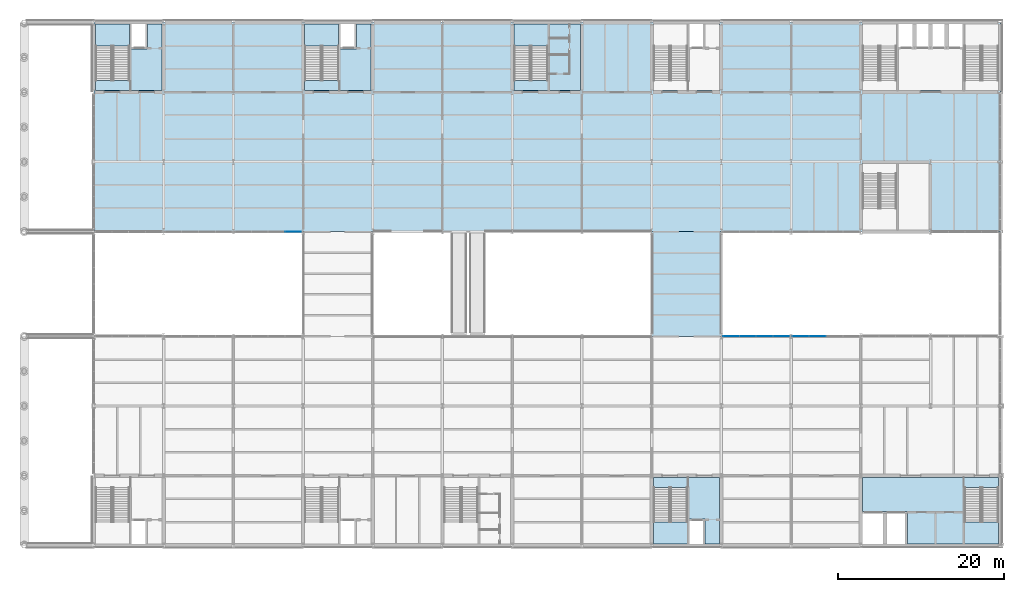
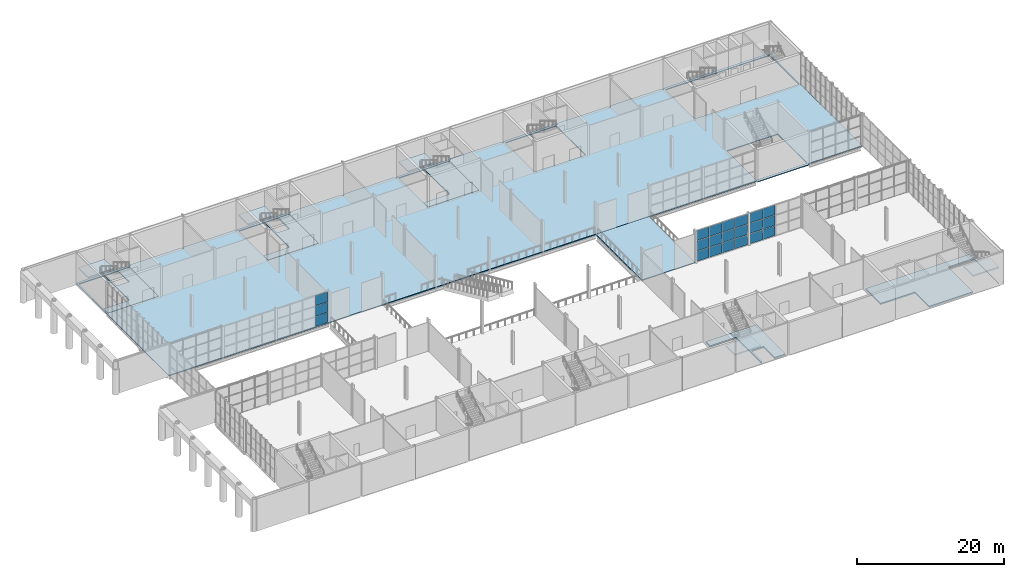
# One storey, part 35 of 64: 21 plates, 12 slabs, 8 elements without a shape of their own.
"""IFC4 building model written with IfcOpenShell, lengths in metres."""

from ifc_helpers import new_model, si_unit, direction, frame, origin, origin_2d, place, context, subcontext, project, spatial, polyline, rectangle, outline, extrude, material, layer, layer_set, type_object, element, aggregate, save


model = new_model("IFC4")

# Units and contexts
model_context = context("Model", 3, precision=1e-05, world=origin(), true_north=direction((0.0, 1.0)))
body_context = subcontext(model_context, "Body", "Model", "MODEL_VIEW")
ifc_project = project(units=[si_unit("LENGTHUNIT", "METRE"), si_unit("AREAUNIT", "SQUARE_METRE"), si_unit("VOLUMEUNIT", "CUBIC_METRE"), si_unit("PLANEANGLEUNIT", "RADIAN"), si_unit("MASSUNIT", "GRAM", prefix="KILO")], contexts=[model_context])

# Site, building, storey
site_placement = place(None, origin())
site = spatial("IfcSite", under=ifc_project, at=site_placement, CompositionType="ELEMENT")
building_placement = place(site_placement, origin())
building = spatial("IfcBuilding", under=site, at=building_placement, Name="Galleria Vessillo Department Store", CompositionType="ELEMENT")
storey_placement = place(building_placement, frame((0.0, 0.0, 6.0)))
storey = spatial("IfcBuildingStorey", under=building, at=storey_placement, Name="L01", CompositionType="ELEMENT", Elevation=6.0)

# Slabs
ifc_material_1 = material(Name="Concrete C32/40 composite on steel deck", Category="concrete")
ifc_layer_1 = layer(ifc_material_1, 0.14990234375)
ifc_layer_set_1 = layer_set([ifc_layer_1], Name="Concrete C32/40 composite on steel deck")
slab_type_1 = type_object("IfcSlabType", Name="Composite bridge slab 150 mm", PredefinedType="FLOOR", material=ifc_layer_set_1)
slab_1_placement = place(storey_placement, frame((0.0, 0.0, -0.14990234375)))
element("IfcSlab", 1, at=slab_1_placement, inside=storey, type_object=slab_type_1, Name="S-SLAB-L01-BRIDGE-E", PredefinedType="FLOOR", context=body_context, shape_type="SweptSolid", body=[
    extrude(outline(polyline([(84.0, 25.199951171875), (84.0, 37.800048828125), (75.60009765625, 37.800048828125), (75.60009765625, 25.199951171875), (84.0, 25.199951171875)])), origin(), (0.0, 0.0, 1.0), 0.14990234375),
])
ifc_material_2 = material(Name="Concrete C32/40 composite on steel deck", Category="concrete")
ifc_layer_2 = layer(ifc_material_2, 0.14990234375)
ifc_layer_set_2 = layer_set([ifc_layer_2], Name="Concrete C32/40 composite on steel deck")
slab_type_2 = type_object("IfcSlabType", Name="Composite floor slab 150 mm", PredefinedType="FLOOR", material=ifc_layer_set_2)
slab_2_placement = place(storey_placement, frame((0.0, 0.0, -0.14990234375)))
element("IfcSlab", 2, at=slab_2_placement, inside=storey, type_object=slab_type_2, Name="S-SLAB-L01-FLOOR-N", PredefinedType="FLOOR", context=body_context, shape_type="SweptSolid", body=[
    extrude(outline(polyline([(8.550537109375, 63.199462890625), (16.6494140625, 63.199462890625), (16.6494140625, 63.0), (16.95068359375, 63.0), (16.95068359375, 63.24951171875), (25.04931640625, 63.24951171875), (25.04931640625, 63.0), (25.3505859375, 63.0), (25.3505859375, 63.24951171875), (33.449462890625, 63.24951171875), (33.449462890625, 63.0), (33.750732421875, 63.0), (33.750732421875, 63.199462890625), (41.849365234375, 63.199462890625), (41.849365234375, 63.0), (42.150634765625, 63.0), (42.150634765625, 63.24951171875), (50.249267578125, 63.24951171875), (50.249267578125, 63.0), (50.550537109375, 63.0), (50.550537109375, 63.24951171875), (58.6494140625, 63.24951171875), (58.6494140625, 63.0), (58.95068359375, 63.0), (58.95068359375, 63.199462890625), (67.04931640625, 63.199462890625), (67.04931640625, 63.0), (67.3505859375, 63.0), (67.3505859375, 63.24951171875), (75.449462890625, 63.24951171875), (75.449462890625, 63.0), (75.750732421875, 63.0), (75.750732421875, 63.199462890625), (83.846435546875, 63.199462890625), (83.846435546875, 63.0), (84.153564453125, 63.0), (84.153564453125, 63.24951171875), (92.246337890625, 63.24951171875), (92.246337890625, 63.0), (92.553466796875, 63.0), (92.553466796875, 63.24951171875), (100.646484375, 63.24951171875), (100.646484375, 63.0), (100.95361328125, 63.0), (100.95361328125, 63.199462890625), (117.3134765625, 63.199462890625), (117.3134765625, 63.0), (117.60009765625, 63.0), (117.60009765625, 37.800048828125), (109.04638671875, 37.800048828125), (109.04638671875, 37.60009765625), (100.95361328125, 37.60009765625), (100.95361328125, 37.800048828125), (8.39990234375, 37.800048828125), (8.39990234375, 63.0), (8.550537109375, 63.0), (8.550537109375, 63.199462890625)]), holes=[polyline([(16.60009765625, 62.800048828125), (8.599853515625, 62.800048828125), (8.599853515625, 54.800048828125), (16.60009765625, 54.800048828125), (16.60009765625, 62.800048828125)]), polyline([(41.800048828125, 62.800048828125), (33.800048828125, 62.800048828125), (33.800048828125, 54.800048828125), (41.800048828125, 54.800048828125), (41.800048828125, 62.800048828125)]), polyline([(59.0, 62.800048828125), (59.0, 54.800048828125), (67.0, 54.800048828125), (67.0, 62.800048828125), (59.0, 62.800048828125)]), polyline([(101.0, 46.0), (101.0, 38.0), (109.0, 38.0), (109.0, 46.0), (101.0, 46.0)]), polyline([(83.800048828125, 62.800048828125), (75.800048828125, 62.800048828125), (75.800048828125, 54.800048828125), (83.800048828125, 54.800048828125), (83.800048828125, 62.800048828125)]), polyline([(117.400146484375, 62.800048828125), (101.0, 62.800048828125), (101.0, 54.800048828125), (117.400146484375, 54.800048828125), (117.400146484375, 62.800048828125)])]), origin(), (0.0, 0.0, 1.0), 0.14990234375),
])

# Curtain wall, plates
ifc_material_3 = material(Name="Aluminium and glass curtain wall", Category="aluminium")
ifc_layer_3 = layer(ifc_material_3, 0.199951171875)
ifc_layer_set_3 = layer_set([ifc_layer_3], Name="Aluminium and glass curtain wall")
curtain_wall_type = type_object("IfcCurtainWallType", Name="Arcade curtain wall CW1 2100 module", PredefinedType="NOTDEFINED", material=ifc_layer_set_3)
curtain_wall_1_placement = place(storey_placement, origin())
curtain_wall_1 = element("IfcCurtainWall", 3, at=curtain_wall_1_placement, inside=storey, type_object=curtain_wall_type, Name="Arcade curtain wall CW1 2100 module AI-AE-S-L01-01", PredefinedType="NOTDEFINED")
ifc_material_4 = material(Name="Glass laminated 44.2 low-e", Category="glass")
ifc_layer_4 = layer(ifc_material_4, 0.031982421875)
ifc_layer_set_4 = layer_set([ifc_layer_4], Name="Glass laminated 44.2 low-e")
plate_type = type_object("IfcPlateType", Name="Laminated glass panel 32 mm", PredefinedType="CURTAIN_PANEL", material=ifc_layer_set_4)
plate_1_placement = place(storey_placement, frame((85.179443359375, 25.199951171875, 0.070068359375), z_axis=(0.0, 0.0, 1.0), x_axis=(1.0, 0.0, 0.0)))
plate_1 = element("IfcPlate", 4, at=plate_1_placement, type_object=plate_type, Name="CW1 panel 1.1", PredefinedType="CURTAIN_PANEL", context=body_context, shape_type="SweptSolid", body=[
    extrude(rectangle(XDim=1.93359375, YDim=0.031982421875, at=origin_2d()), origin(), (0.0, 0.0, 1.0), 1.64501953125),
])
plate_2_placement = place(storey_placement, frame((85.179443359375, 25.199951171875, 1.78515625), z_axis=(0.0, 0.0, 1.0), x_axis=(1.0, 0.0, 0.0)))
plate_2 = element("IfcPlate", 5, at=plate_2_placement, type_object=plate_type, Name="CW1 panel 1.2", PredefinedType="CURTAIN_PANEL", context=body_context, shape_type="SweptSolid", body=[
    extrude(rectangle(XDim=1.93359375, YDim=0.031982421875, at=origin_2d()), origin(), (0.0, 0.0, 1.0), 1.679931640625),
])
plate_3_placement = place(storey_placement, frame((85.179443359375, 25.199951171875, 3.534912109375), z_axis=(0.0, 0.0, 1.0), x_axis=(1.0, 0.0, 0.0)))
plate_3 = element("IfcPlate", 6, at=plate_3_placement, type_object=plate_type, Name="CW1 panel 1.3", PredefinedType="CURTAIN_PANEL", context=body_context, shape_type="SweptSolid", body=[
    extrude(rectangle(XDim=1.93359375, YDim=0.031982421875, at=origin_2d()), origin(), (0.0, 0.0, 1.0), 1.64501953125),
])
plate_4_placement = place(storey_placement, frame((87.18798828125, 25.199951171875, 0.070068359375), z_axis=(0.0, 0.0, 1.0), x_axis=(1.0, 0.0, 0.0)))
plate_4 = element("IfcPlate", 7, at=plate_4_placement, type_object=plate_type, Name="CW1 panel 2.1", PredefinedType="CURTAIN_PANEL", context=body_context, shape_type="SweptSolid", body=[
    extrude(rectangle(XDim=1.963623046875, YDim=0.031982421875, at=origin_2d()), origin(), (0.0, 0.0, 1.0), 1.64501953125),
])
plate_5_placement = place(storey_placement, frame((87.18798828125, 25.199951171875, 1.78515625), z_axis=(0.0, 0.0, 1.0), x_axis=(1.0, 0.0, 0.0)))
plate_5 = element("IfcPlate", 8, at=plate_5_placement, type_object=plate_type, Name="CW1 panel 2.2", PredefinedType="CURTAIN_PANEL", context=body_context, shape_type="SweptSolid", body=[
    extrude(rectangle(XDim=1.963623046875, YDim=0.031982421875, at=origin_2d()), origin(), (0.0, 0.0, 1.0), 1.679931640625),
])
plate_6_placement = place(storey_placement, frame((87.18798828125, 25.199951171875, 3.534912109375), z_axis=(0.0, 0.0, 1.0), x_axis=(1.0, 0.0, 0.0)))
plate_6 = element("IfcPlate", 9, at=plate_6_placement, type_object=plate_type, Name="CW1 panel 2.3", PredefinedType="CURTAIN_PANEL", context=body_context, shape_type="SweptSolid", body=[
    extrude(rectangle(XDim=1.963623046875, YDim=0.031982421875, at=origin_2d()), origin(), (0.0, 0.0, 1.0), 1.64501953125),
])
plate_7_placement = place(storey_placement, frame((89.21142578125, 25.199951171875, 0.070068359375), z_axis=(0.0, 0.0, 1.0), x_axis=(1.0, 0.0, 0.0)))
plate_7 = element("IfcPlate", 10, at=plate_7_placement, type_object=plate_type, Name="CW1 panel 3.1", PredefinedType="CURTAIN_PANEL", context=body_context, shape_type="SweptSolid", body=[
    extrude(rectangle(XDim=1.963623046875, YDim=0.031982421875, at=origin_2d()), origin(), (0.0, 0.0, 1.0), 1.64501953125),
])
plate_8_placement = place(storey_placement, frame((89.21142578125, 25.199951171875, 1.78515625), z_axis=(0.0, 0.0, 1.0), x_axis=(1.0, 0.0, 0.0)))
plate_8 = element("IfcPlate", 11, at=plate_8_placement, type_object=plate_type, Name="CW1 panel 3.2", PredefinedType="CURTAIN_PANEL", context=body_context, shape_type="SweptSolid", body=[
    extrude(rectangle(XDim=1.963623046875, YDim=0.031982421875, at=origin_2d()), origin(), (0.0, 0.0, 1.0), 1.679931640625),
])
plate_9_placement = place(storey_placement, frame((89.21142578125, 25.199951171875, 3.534912109375), z_axis=(0.0, 0.0, 1.0), x_axis=(1.0, 0.0, 0.0)))
plate_9 = element("IfcPlate", 12, at=plate_9_placement, type_object=plate_type, Name="CW1 panel 3.3", PredefinedType="CURTAIN_PANEL", context=body_context, shape_type="SweptSolid", body=[
    extrude(rectangle(XDim=1.963623046875, YDim=0.031982421875, at=origin_2d()), origin(), (0.0, 0.0, 1.0), 1.64501953125),
])
plate_10_placement = place(storey_placement, frame((91.219970703125, 25.199951171875, 0.070068359375), z_axis=(0.0, 0.0, 1.0), x_axis=(1.0, 0.0, 0.0)))
plate_10 = element("IfcPlate", 13, at=plate_10_placement, type_object=plate_type, Name="CW1 panel 4.1", PredefinedType="CURTAIN_PANEL", context=body_context, shape_type="SweptSolid", body=[
    extrude(rectangle(XDim=1.93359375, YDim=0.031982421875, at=origin_2d()), origin(), (0.0, 0.0, 1.0), 1.64501953125),
])
plate_11_placement = place(storey_placement, frame((91.219970703125, 25.199951171875, 1.78515625), z_axis=(0.0, 0.0, 1.0), x_axis=(1.0, 0.0, 0.0)))
plate_11 = element("IfcPlate", 14, at=plate_11_placement, type_object=plate_type, Name="CW1 panel 4.2", PredefinedType="CURTAIN_PANEL", context=body_context, shape_type="SweptSolid", body=[
    extrude(rectangle(XDim=1.93359375, YDim=0.031982421875, at=origin_2d()), origin(), (0.0, 0.0, 1.0), 1.679931640625),
])
plate_12_placement = place(storey_placement, frame((91.219970703125, 25.199951171875, 3.534912109375), z_axis=(0.0, 0.0, 1.0), x_axis=(1.0, 0.0, 0.0)))
plate_12 = element("IfcPlate", 15, at=plate_12_placement, type_object=plate_type, Name="CW1 panel 4.3", PredefinedType="CURTAIN_PANEL", context=body_context, shape_type="SweptSolid", body=[
    extrude(rectangle(XDim=1.93359375, YDim=0.031982421875, at=origin_2d()), origin(), (0.0, 0.0, 1.0), 1.64501953125),
])
aggregate(curtain_wall_1, [plate_1, plate_2, plate_3, plate_4, plate_5, plate_6, plate_7, plate_8, plate_9, plate_10, plate_11, plate_12])

curtain_wall_2_placement = place(storey_placement, origin())
curtain_wall_2 = element("IfcCurtainWall", 16, at=curtain_wall_2_placement, inside=storey, type_object=curtain_wall_type, Name="Arcade curtain wall CW1 2100 module AI-AE-S-L01-02", PredefinedType="NOTDEFINED")
plate_13_placement = place(storey_placement, frame((93.579833984375, 25.199951171875, 0.070068359375), z_axis=(0.0, 0.0, 1.0), x_axis=(1.0, 0.0, 0.0)))
plate_13 = element("IfcPlate", 17, at=plate_13_placement, type_object=plate_type, Name="CW1 panel 1.1", PredefinedType="CURTAIN_PANEL", context=body_context, shape_type="SweptSolid", body=[
    extrude(rectangle(XDim=1.93359375, YDim=0.031982421875, at=origin_2d()), origin(), (0.0, 0.0, 1.0), 1.64501953125),
])
plate_14_placement = place(storey_placement, frame((93.579833984375, 25.199951171875, 1.78515625), z_axis=(0.0, 0.0, 1.0), x_axis=(1.0, 0.0, 0.0)))
plate_14 = element("IfcPlate", 18, at=plate_14_placement, type_object=plate_type, Name="CW1 panel 1.2", PredefinedType="CURTAIN_PANEL", context=body_context, shape_type="SweptSolid", body=[
    extrude(rectangle(XDim=1.93359375, YDim=0.031982421875, at=origin_2d()), origin(), (0.0, 0.0, 1.0), 1.679931640625),
])
plate_15_placement = place(storey_placement, frame((93.579833984375, 25.199951171875, 3.534912109375), z_axis=(0.0, 0.0, 1.0), x_axis=(1.0, 0.0, 0.0)))
plate_15 = element("IfcPlate", 19, at=plate_15_placement, type_object=plate_type, Name="CW1 panel 1.3", PredefinedType="CURTAIN_PANEL", context=body_context, shape_type="SweptSolid", body=[
    extrude(rectangle(XDim=1.93359375, YDim=0.031982421875, at=origin_2d()), origin(), (0.0, 0.0, 1.0), 1.64501953125),
])
plate_16_placement = place(storey_placement, frame((95.58837890625, 25.199951171875, 0.070068359375), z_axis=(0.0, 0.0, 1.0), x_axis=(1.0, 0.0, 0.0)))
plate_16 = element("IfcPlate", 20, at=plate_16_placement, type_object=plate_type, Name="CW1 panel 2.1", PredefinedType="CURTAIN_PANEL", context=body_context, shape_type="SweptSolid", body=[
    extrude(rectangle(XDim=1.963623046875, YDim=0.031982421875, at=origin_2d()), origin(), (0.0, 0.0, 1.0), 1.64501953125),
])
plate_17_placement = place(storey_placement, frame((95.58837890625, 25.199951171875, 1.78515625), z_axis=(0.0, 0.0, 1.0), x_axis=(1.0, 0.0, 0.0)))
plate_17 = element("IfcPlate", 21, at=plate_17_placement, type_object=plate_type, Name="CW1 panel 2.2", PredefinedType="CURTAIN_PANEL", context=body_context, shape_type="SweptSolid", body=[
    extrude(rectangle(XDim=1.963623046875, YDim=0.031982421875, at=origin_2d()), origin(), (0.0, 0.0, 1.0), 1.679931640625),
])
plate_18_placement = place(storey_placement, frame((95.58837890625, 25.199951171875, 3.534912109375), z_axis=(0.0, 0.0, 1.0), x_axis=(1.0, 0.0, 0.0)))
plate_18 = element("IfcPlate", 22, at=plate_18_placement, type_object=plate_type, Name="CW1 panel 2.3", PredefinedType="CURTAIN_PANEL", context=body_context, shape_type="SweptSolid", body=[
    extrude(rectangle(XDim=1.963623046875, YDim=0.031982421875, at=origin_2d()), origin(), (0.0, 0.0, 1.0), 1.64501953125),
])
aggregate(curtain_wall_2, [plate_13, plate_14, plate_15, plate_16, plate_17, plate_18])

curtain_wall_3_placement = place(storey_placement, origin())
curtain_wall_3 = element("IfcCurtainWall", 23, at=curtain_wall_3_placement, inside=storey, type_object=curtain_wall_type, Name="Arcade curtain wall CW1 2100 module AI-AW-N-L01-02", PredefinedType="NOTDEFINED")
plate_19_placement = place(storey_placement, frame((32.420654296875, 37.800048828125, 0.070068359375), z_axis=(0.0, 0.0, 1.0), x_axis=(1.0, 0.0, 0.0)))
plate_19 = element("IfcPlate", 24, at=plate_19_placement, type_object=plate_type, Name="CW1 panel 4.1", PredefinedType="CURTAIN_PANEL", context=body_context, shape_type="SweptSolid", body=[
    extrude(rectangle(XDim=1.93359375, YDim=0.031982421875, at=origin_2d()), origin(), (0.0, 0.0, 1.0), 1.64501953125),
])
plate_20_placement = place(storey_placement, frame((32.420654296875, 37.800048828125, 1.78515625), z_axis=(0.0, 0.0, 1.0), x_axis=(1.0, 0.0, 0.0)))
plate_20 = element("IfcPlate", 25, at=plate_20_placement, type_object=plate_type, Name="CW1 panel 4.2", PredefinedType="CURTAIN_PANEL", context=body_context, shape_type="SweptSolid", body=[
    extrude(rectangle(XDim=1.93359375, YDim=0.031982421875, at=origin_2d()), origin(), (0.0, 0.0, 1.0), 1.679931640625),
])
plate_21_placement = place(storey_placement, frame((32.420654296875, 37.800048828125, 3.534912109375), z_axis=(0.0, 0.0, 1.0), x_axis=(1.0, 0.0, 0.0)))
plate_21 = element("IfcPlate", 26, at=plate_21_placement, type_object=plate_type, Name="CW1 panel 4.3", PredefinedType="CURTAIN_PANEL", context=body_context, shape_type="SweptSolid", body=[
    extrude(rectangle(XDim=1.93359375, YDim=0.031982421875, at=origin_2d()), origin(), (0.0, 0.0, 1.0), 1.64501953125),
])
aggregate(curtain_wall_3, [plate_19, plate_20, plate_21])

# Slabs
ifc_material_5 = material(Name="Concrete C32/40 reinforced", Category="concrete")
ifc_layer_5 = layer(ifc_material_5, 0.219970703125)
ifc_layer_set_5 = layer_set([ifc_layer_5], Name="Concrete C32/40 reinforced")
slab_type_3 = type_object("IfcSlabType", Name="Reinforced concrete core floor slab 220 mm", PredefinedType="FLOOR", material=ifc_layer_set_5)
slab_3_placement = place(storey_placement, frame((0.0, 0.0, -0.219970703125)))
element("IfcSlab", 27, at=slab_3_placement, inside=storey, type_object=slab_type_3, Name="S-SLAB-L01-CORE-PC-NW", PredefinedType="FLOOR", context=body_context, shape_type="SweptSolid", body=[
    extrude(outline(polyline([(16.60009765625, 62.800048828125), (16.60009765625, 54.800048828125), (8.599853515625, 54.800048828125), (8.60009765625, 62.800048828125), (8.60009765625, 56.0), (12.699951171875, 56.0), (12.699951171875, 62.800048828125), (12.89990234375, 62.800048828125), (12.89990234375, 59.800048828125), (14.85009765625, 59.800048828125), (14.85009765625, 62.800048828125), (16.60009765625, 62.800048828125)])), origin(), (0.0, 0.0, 1.0), 0.219970703125),
])
slab_4_placement = place(storey_placement, frame((0.0, 0.0, -0.219970703125)))
element("IfcSlab", 28, at=slab_4_placement, inside=storey, type_object=slab_type_3, Name="S-SLAB-L01-CORE-PC-NM", PredefinedType="FLOOR", context=body_context, shape_type="SweptSolid", body=[
    extrude(outline(polyline([(41.800048828125, 62.800048828125), (41.800048828125, 54.800048828125), (33.800048828125, 54.800048828125), (33.800048828125, 56.0), (37.89990234375, 56.0), (37.89990234375, 62.800048828125), (38.10009765625, 62.800048828125), (38.10009765625, 59.800048828125), (40.050048828125, 59.800048828125), (40.050048828125, 62.800048828125), (41.800048828125, 62.800048828125)])), origin(), (0.0, 0.0, 1.0), 0.219970703125),
])
slab_5_placement = place(storey_placement, frame((0.0, 0.0, -0.219970703125)))
element("IfcSlab", 29, at=slab_5_placement, inside=storey, type_object=slab_type_3, Name="S-SLAB-L01-CORE-PC-SE", PredefinedType="FLOOR", context=body_context, shape_type="SweptSolid", body=[
    extrude(outline(polyline([(75.800048828125, 8.199951171875), (83.800048828125, 8.199951171875), (83.800048828125, 0.199951171875), (82.050048828125, 0.199951171875), (82.050048828125, 3.199951171875), (80.10009765625, 3.199951171875), (80.10009765625, 0.199951171875), (79.89990234375, 0.199951171875), (79.89990234375, 7.0), (75.800048828125, 7.0), (75.800048828125, 8.199951171875)])), origin(), (0.0, 0.0, 1.0), 0.219970703125),
])
slab_6_placement = place(storey_placement, frame((0.0, 0.0, -0.219970703125)))
element("IfcSlab", 30, at=slab_6_placement, inside=storey, type_object=slab_type_3, Name="S-SLAB-L01-CORE-PC-NC", PredefinedType="FLOOR", context=body_context, shape_type="SweptSolid", body=[
    extrude(outline(polyline([(67.0, 62.800048828125), (67.0, 54.800048828125), (59.0, 54.800048828125), (59.0, 56.0), (63.10009765625, 56.0), (63.10009765625, 62.800048828125), (67.0, 62.800048828125)])), origin(), (0.0, 0.0, 1.0), 0.219970703125),
])
slab_7_placement = place(storey_placement, frame((0.0, 0.0, -0.219970703125)))
element("IfcSlab", 31, at=slab_7_placement, inside=storey, type_object=slab_type_3, Name="S-SLAB-L01-CORE-GC", PredefinedType="FLOOR", context=body_context, shape_type="SweptSolid", body=[
    extrude(outline(polyline([(101.0, 8.199951171875), (117.400146484375, 8.199951171875), (117.39990234375, 0.199951171875), (117.39990234375, 7.0), (113.300048828125, 7.0), (113.300048828125, 0.199951171875), (106.39990234375, 0.199951171875), (106.39990234375, 4.10009765625), (101.0, 4.10009765625), (101.0, 8.199951171875)])), origin(), (0.0, 0.0, 1.0), 0.219970703125),
])

# Stair, slab
ifc_material_6 = material(Name="Concrete C32/40", Category="concrete")
stair_type = type_object("IfcStairType", Name="Half-turn escape stair 2000 mm, 32 risers of 169 mm", PredefinedType="HALF_TURN_STAIR", material=ifc_material_6)
stair_1_placement = place(storey_placement, origin())
stair_1 = element("IfcStair", 32, at=stair_1_placement, inside=storey, type_object=stair_type, Name="Stair ST2 L01", PredefinedType="HALF_TURN_STAIR")
ifc_material_7 = material(Name="Concrete C32/40", Category="concrete")
ifc_layer_6 = layer(ifc_material_7, 0.199951171875)
ifc_layer_set_6 = layer_set([ifc_layer_6], Name="Concrete C32/40")
slab_type_4 = type_object("IfcSlabType", Name="Stair half landing 4100 x 2600 mm", PredefinedType="LANDING", material=ifc_layer_set_6)
slab_8_placement = place(storey_placement, frame((0.0, 0.0, 2.5)))
slab_8 = element("IfcSlab", 33, at=slab_8_placement, type_object=slab_type_4, Name="ST2 landing 1", PredefinedType="LANDING", context=body_context, shape_type="SweptSolid", body=[
    extrude(outline(polyline([(8.599853515625, 60.199951171875), (8.599853515625, 62.800048828125), (12.699951171875, 62.800048828125), (12.699951171875, 60.199951171875), (8.599853515625, 60.199951171875)])), origin(), (0.0, 0.0, 1.0), 0.199951171875),
])
aggregate(stair_1, [slab_8])

stair_2_placement = place(storey_placement, origin())
stair_2 = element("IfcStair", 34, at=stair_2_placement, inside=storey, type_object=stair_type, Name="Stair ST4 L01", PredefinedType="HALF_TURN_STAIR")
slab_9_placement = place(storey_placement, frame((0.0, 0.0, 2.5)))
slab_9 = element("IfcSlab", 35, at=slab_9_placement, type_object=slab_type_4, Name="ST4 landing 1", PredefinedType="LANDING", context=body_context, shape_type="SweptSolid", body=[
    extrude(outline(polyline([(33.800048828125, 60.199951171875), (33.800048828125, 62.800048828125), (37.900146484375, 62.800048828125), (37.900146484375, 60.199951171875), (33.800048828125, 60.199951171875)])), origin(), (0.0, 0.0, 1.0), 0.199951171875),
])
aggregate(stair_2, [slab_9])

stair_3_placement = place(storey_placement, origin())
stair_3 = element("IfcStair", 36, at=stair_3_placement, inside=storey, type_object=stair_type, Name="Stair ST5 L01", PredefinedType="HALF_TURN_STAIR")
slab_10_placement = place(storey_placement, frame((0.0, 0.0, 2.5)))
slab_10 = element("IfcSlab", 37, at=slab_10_placement, type_object=slab_type_4, Name="ST5 landing 1", PredefinedType="LANDING", context=body_context, shape_type="SweptSolid", body=[
    extrude(outline(polyline([(75.800048828125, 0.199951171875), (75.800048828125, 2.800048828125), (79.900146484375, 2.800048828125), (79.900146484375, 0.199951171875), (75.800048828125, 0.199951171875)])), origin(), (0.0, 0.0, 1.0), 0.199951171875),
])
aggregate(stair_3, [slab_10])

stair_4_placement = place(storey_placement, origin())
stair_4 = element("IfcStair", 38, at=stair_4_placement, inside=storey, type_object=stair_type, Name="Stair ST11 L01", PredefinedType="HALF_TURN_STAIR")
slab_11_placement = place(storey_placement, frame((0.0, 0.0, 2.5)))
slab_11 = element("IfcSlab", 39, at=slab_11_placement, type_object=slab_type_4, Name="ST11 landing 1", PredefinedType="LANDING", context=body_context, shape_type="SweptSolid", body=[
    extrude(outline(polyline([(59.0, 60.199951171875), (59.0, 62.800048828125), (63.10009765625, 62.800048828125), (63.10009765625, 60.199951171875), (59.0, 60.199951171875)])), origin(), (0.0, 0.0, 1.0), 0.199951171875),
])
aggregate(stair_4, [slab_11])

stair_5_placement = place(storey_placement, origin())
stair_5 = element("IfcStair", 40, at=stair_5_placement, inside=storey, type_object=stair_type, Name="Stair ST7 L01", PredefinedType="HALF_TURN_STAIR")
slab_12_placement = place(storey_placement, frame((0.0, 0.0, 2.5)))
slab_12 = element("IfcSlab", 41, at=slab_12_placement, type_object=slab_type_4, Name="ST7 landing 1", PredefinedType="LANDING", context=body_context, shape_type="SweptSolid", body=[
    extrude(outline(polyline([(113.300048828125, 0.199951171875), (113.300048828125, 2.800048828125), (117.400146484375, 2.800048828125), (117.400146484375, 0.199951171875), (113.300048828125, 0.199951171875)])), origin(), (0.0, 0.0, 1.0), 0.199951171875),
])
aggregate(stair_5, [slab_12])

save(model, "model.ifc")
